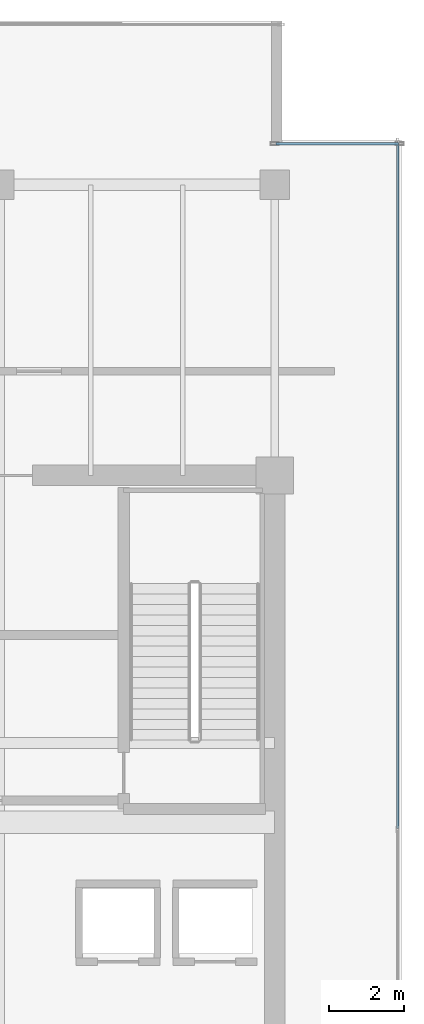
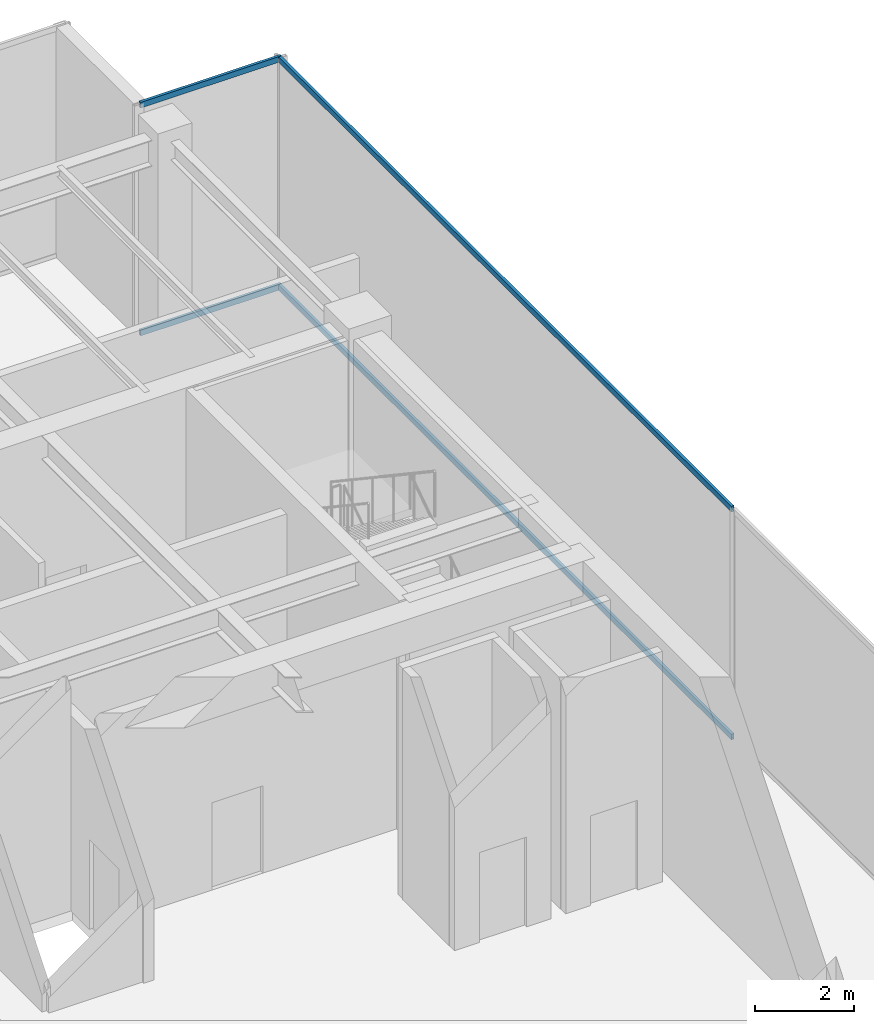
# One storey, part 22 of 30: 4 members, 2 elements without a shape of their own.
"""IFC4 building model written with IfcOpenShell, lengths in metres."""

from ifc_helpers import new_model, si_unit, direction, frame, origin, origin_2d, place, context, subcontext, project, spatial, hollow_rectangle, extrude, source, transform, mapped, material, layer, layer_set, material_profile, profile_set, type_object, type_shapes, element, aggregate, save


model = new_model("IFC4")

# Units and contexts
model_context = context("Model", 3, precision=1e-05, world=origin(), true_north=direction((0.0, 1.0)))
body_context = subcontext(model_context, "Body", "Model", "MODEL_VIEW")
ifc_project = project(units=[si_unit("LENGTHUNIT", "METRE"), si_unit("AREAUNIT", "SQUARE_METRE"), si_unit("VOLUMEUNIT", "CUBIC_METRE"), si_unit("PLANEANGLEUNIT", "RADIAN"), si_unit("MASSUNIT", "GRAM", prefix="KILO")], contexts=[model_context])

# Site, building, storey
site_placement = place(None, origin())
site = spatial("IfcSite", under=ifc_project, at=site_placement, CompositionType="ELEMENT")
building_placement = place(site_placement, origin())
building = spatial("IfcBuilding", under=site, at=building_placement, Name="Haelvirn Gate Laboratories", CompositionType="ELEMENT")
storey_placement = place(building_placement, frame((0.0, 0.0, 291.60009765625)))
storey = spatial("IfcBuildingStorey", under=building, at=storey_placement, Name="L70", CompositionType="ELEMENT", Elevation=291.60009765625)

# Curtain wall, members
ifc_material_1 = material(Name="Anodised bronze unitised aluminium & triple low-E glass", Category="aluminium")
ifc_layer_1 = layer(ifc_material_1, 0.181884765625, Name="CW-SYS-5")
ifc_layer_set_1 = layer_set([ifc_layer_1], Name="Anodised bronze unitised aluminium & triple low-E glass")
curtain_wall_type_1 = type_object("IfcCurtainWallType", Name="CW-SYS-5", PredefinedType="NOTDEFINED", material=ifc_layer_set_1)
curtain_wall_1_placement = place(storey_placement, origin())
curtain_wall_1 = element("IfcCurtainWall", 1, at=curtain_wall_1_placement, inside=storey, type_object=curtain_wall_type_1, Name="L70 Unitised Curtain Wall CW-L70-P1-E04-1", PredefinedType="NOTDEFINED")
ifc_material_2 = material(Name="Extruded aluminium 6063-T6 (anodised bronze)", Category="aluminium")
ifc_material_profile = material_profile(ifc_material_2, hollow_rectangle(XDim=0.06494140625, YDim=0.139892578125, WallThickness=0.00390625, at=origin_2d()), Name="CWT-140x65x4")
ifc_profile_set = profile_set([ifc_material_profile], Name="Extruded aluminium 6063-T6 (anodised bronze)")
member_type = type_object("IfcMemberType", Name="CWT-T140", PredefinedType="USERDEFINED", material=ifc_profile_set)
shared_shape_1 = source(origin(), body_context, "Body", "SweptSolid", [
    extrude(hollow_rectangle(XDim=0.06494140625, YDim=0.139892578125, WallThickness=0.00390625, at=origin_2d()), origin(), (0.0, 0.0, 1.0), 3.280029296875),
])
member_1_placement = place(storey_placement, frame((67.43994140625, 42.699951171875, 0.032470703125), z_axis=(1.0, 0.0, 0.0), x_axis=(0.0, 1.0, 0.0)))
member_1 = element("IfcMember", 2, at=member_1_placement, type_object=member_type, Name="CW5 transom 1.1", ObjectType="TRANSOM", PredefinedType="USERDEFINED", context=body_context, shape_type="MappedRepresentation", body=[
    mapped(shared_shape_1, transform((0.0, 0.0, 0.0), scale=1.0)),
])
member_2_placement = place(storey_placement, frame((67.43994140625, 42.699951171875, 5.66748046875), z_axis=(1.0, 0.0, 0.0), x_axis=(0.0, 1.0, 0.0)))
member_2 = element("IfcMember", 3, at=member_2_placement, type_object=member_type, Name="CW5 transom 1.2", ObjectType="TRANSOM", PredefinedType="USERDEFINED", context=body_context, shape_type="MappedRepresentation", body=[
    mapped(shared_shape_1, transform((0.0, 0.0, 0.0), scale=1.0)),
])
aggregate(curtain_wall_1, [member_1, member_2])

ifc_layer_2 = layer(ifc_material_1, 0.176025390625, Name="CW-SYS-4")
ifc_layer_set_2 = layer_set([ifc_layer_2], Name="Anodised bronze unitised aluminium & triple low-E glass")
curtain_wall_type_2 = type_object("IfcCurtainWallType", Name="CW-SYS-4", PredefinedType="NOTDEFINED", material=ifc_layer_set_2)
curtain_wall_2_placement = place(storey_placement, origin())
curtain_wall_2 = element("IfcCurtainWall", 4, at=curtain_wall_2_placement, inside=storey, type_object=curtain_wall_type_2, Name="L70 Unitised Curtain Wall CW-L70-P1-E03", PredefinedType="NOTDEFINED")
shared_shape_2 = source(origin(), body_context, "Body", "SweptSolid", [
    extrude(hollow_rectangle(XDim=0.06494140625, YDim=0.139892578125, WallThickness=0.00390625, at=origin_2d()), origin(), (0.0, 0.0, 1.0), 18.39501953125),
])
type_shapes(member_type, [shared_shape_1, shared_shape_2])
member_3_placement = place(storey_placement, frame((70.699951171875, 24.3349609375, 0.032470703125), z_axis=(0.0, 1.0, 0.0), x_axis=(-1.0, 0.0, 0.0)))
member_3 = element("IfcMember", 5, at=member_3_placement, type_object=member_type, Name="CW4 transom 2.1", ObjectType="TRANSOM", PredefinedType="USERDEFINED", context=body_context, shape_type="MappedRepresentation", body=[
    mapped(shared_shape_2, transform((0.0, 0.0, 0.0), scale=1.0)),
])
member_4_placement = place(storey_placement, frame((70.699951171875, 24.3349609375, 5.66748046875), z_axis=(0.0, 1.0, 0.0), x_axis=(-1.0, 0.0, 0.0)))
member_4 = element("IfcMember", 6, at=member_4_placement, type_object=member_type, Name="CW4 transom 2.2", ObjectType="TRANSOM", PredefinedType="USERDEFINED", context=body_context, shape_type="MappedRepresentation", body=[
    mapped(shared_shape_2, transform((0.0, 0.0, 0.0), scale=1.0)),
])
aggregate(curtain_wall_2, [member_3, member_4])

save(model, "model.ifc")
